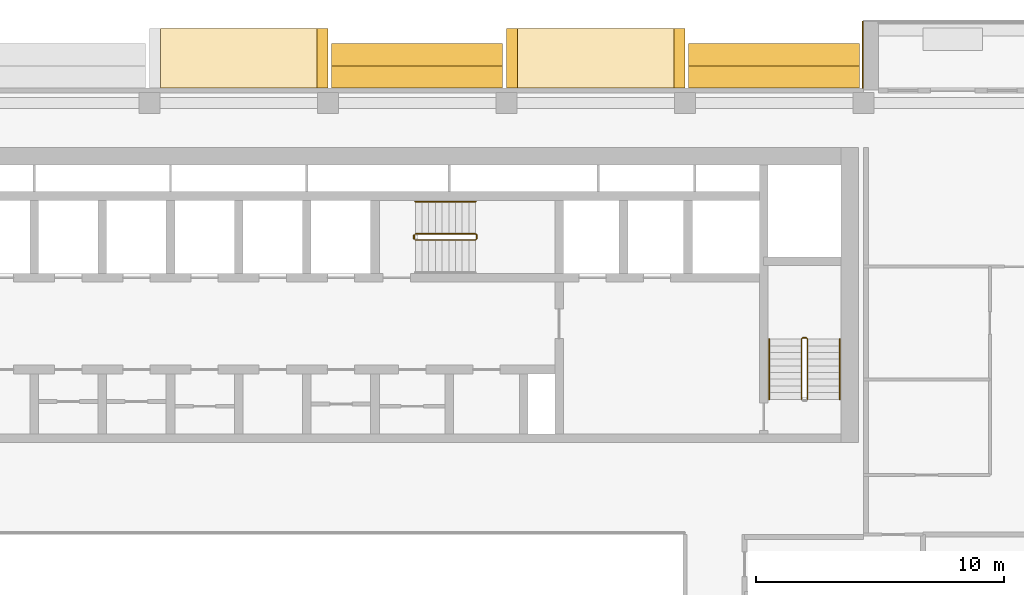
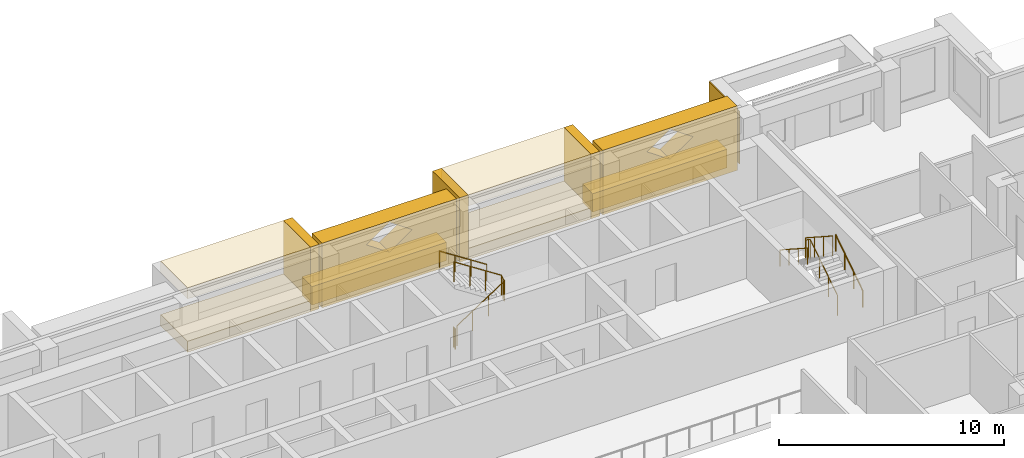
# One storey, part 19 of 20: 12 coverings, 6 railings.
"""IFC4 building model written with IfcOpenShell, lengths in metres."""

from ifc_helpers import new_model, si_unit, direction, frame, origin, origin_2d, place, context, subcontext, project, spatial, polyline, circle, outline, extrude, material, layer, layer_set, type_object, element, save


model = new_model("IFC4")

# Units and contexts
model_context = context("Model", 3, precision=1e-05, world=origin(), true_north=direction((0.0, 1.0)))
body_context = subcontext(model_context, "Body", "Model", "MODEL_VIEW")
ifc_project = project(units=[si_unit("LENGTHUNIT", "METRE"), si_unit("AREAUNIT", "SQUARE_METRE"), si_unit("VOLUMEUNIT", "CUBIC_METRE"), si_unit("PLANEANGLEUNIT", "RADIAN"), si_unit("MASSUNIT", "GRAM", prefix="KILO")], contexts=[model_context])

# Site, building, storey
site_placement = place(None, origin())
site = spatial("IfcSite", under=ifc_project, at=site_placement, CompositionType="ELEMENT")
building_placement = place(site_placement, origin())
building = spatial("IfcBuilding", under=site, at=building_placement, Name="Saffron Iwan Residences", CompositionType="ELEMENT")
storey_placement = place(building_placement, frame((0.0, 0.0, 167.5)))
storey = spatial("IfcBuildingStorey", under=building, at=storey_placement, Name="L44", CompositionType="ELEMENT", Elevation=167.5)

# Coverings
ifc_material_1 = material(Name="Precast concrete C40/50 white painted", Category="concrete")
ifc_layer_1 = layer(ifc_material_1, 0.050048828125)
ifc_layer_set_1 = layer_set([ifc_layer_1], Name="Precast concrete C40/50 white painted")
covering_type_1 = type_object("IfcCoveringType", Name="FRAME SKIN PRECAST WHITE 50", PredefinedType="CLADDING", material=ifc_layer_set_1)
covering_1_placement = place(storey_placement, origin())
element("IfcCovering", 1, at=covering_1_placement, inside=storey, type_object=covering_type_1, Name="Frame skin fin L44 F5-0b", PredefinedType="CLADDING", context=body_context, shape_type="SweptSolid", body=[
    extrude(outline(polyline([(72.0, 83.10009765625), (71.949951171875, 83.10009765625), (71.949951171875, 80.39990234375), (72.0, 80.39990234375), (72.0, 83.10009765625)])), origin(), (0.0, 0.0, 1.0), 2.85009765625),
])
ifc_material_2 = material(Name="Precast concrete C40/50", Category="concrete")
covering_type_2 = type_object("IfcCoveringType", Name="OUTER SKIN LATTICE SCREEN", PredefinedType="CLADDING", material=ifc_material_2)
for number, where, z_axis, x_axis, name in (
    (2, (71.85009765625, 80.39990234375, -0.300048828125), (0.0, 1.0, 0.0), (-1.0, 0.0, 0.0), "OUTER SKIN lattice screen L44 F5.1"),
    (3, (57.449951171875, 80.39990234375, -0.300048828125), (0.0, 1.0, 0.0), (-1.0, 0.0, 0.0), "OUTER SKIN lattice screen L44 F5.2"),
):
    element("IfcCovering", number, at=place(storey_placement, frame(where, z_axis=z_axis, x_axis=x_axis)), inside=storey, type_object=covering_type_2, Name=name, PredefinedType="CLADDING", context=body_context, shape_type="SweptSolid", body=[
        extrude(outline(polyline([(0.0, 0.0), (6.89990234375, 0.0), (6.89990234375, 3.5), (0.0, 3.5), (0.0, 0.0)]), holes=[polyline([(2.27001953125, 2.625), (3.449951171875, 1.81005859375), (4.6298828125, 2.625), (3.449951171875, 3.43994140625), (2.27001953125, 2.625)])]), origin(), (0.0, 0.0, 1.0), 0.900146484375),
    ])

# Railings
ifc_material_3 = material(Name="Steel S355", Category="steel")
railing_type_1 = type_object("IfcRailingType", Name="Stair guard 1100", PredefinedType="GUARDRAIL", material=ifc_material_3)
railing_1_placement = place(storey_placement, frame((53.925048828125, 74.27490234375, 0.175048828125)))
element("IfcRailing", 4, at=railing_1_placement, inside=storey, type_object=railing_type_1, Name="L44 ST-C stair guard 1", PredefinedType="GUARDRAIL", context=body_context, shape_type="SweptSolid", body=[
    extrude(circle(Radius=0.02392578125, at=origin_2d()), frame((0.0, 0.0, 1.076171875), z_axis=(0.839153699163, 0.0, 0.543894354798), x_axis=(0.0, 1.0, 0.0)), (0.0, 0.0, 1.0), 2.895751953125),
    extrude(circle(Radius=0.02392578125, at=origin_2d()), frame((2.429931640625, 0.0, 2.65087890625), z_axis=(0.707106781187, 0.707106781187, 0.0), x_axis=(-0.707106781187, 0.707106781187, 0.0)), (0.0, 0.0, 1.0), 0.07080078125),
    extrude(circle(Radius=0.02392578125, at=origin_2d()), frame((2.47998046875, 0.050048828125, 2.65087890625), z_axis=(0.0, 1.0, 0.0), x_axis=(-1.0, 0.0, 0.0)), (0.0, 0.0, 1.0), 0.150146484375),
    extrude(circle(Radius=0.02392578125, at=origin_2d()), frame((2.47998046875, 0.2001953125, 2.65087890625), z_axis=(-0.265155923931, 0.263862480399, 0.927399011991), x_axis=(-0.705375805398, -0.708833529934, 0.0)), (0.0, 0.0, 1.0), 0.188720703125),
    extrude(circle(Radius=0.02392578125, at=origin_2d()), frame((2.429931640625, 0.25, 2.826171875), z_axis=(-0.839153699163, 0.0, 0.543894354798), x_axis=(0.0, -1.0, 0.0)), (0.0, 0.0, 1.0), 2.895751953125),
    extrude(circle(Radius=0.02099609375, at=origin_2d()), origin(), (0.0, 0.0, 1.0), 1.052001953125),
    extrude(circle(Radius=0.02099609375, at=origin_2d()), frame((0.81005859375, 0.0, 0.52490234375)), (0.0, 0.0, 1.0), 1.052001953125),
    extrude(circle(Radius=0.02099609375, at=origin_2d()), frame((1.619873046875, 0.0, 1.050048828125)), (0.0, 0.0, 1.0), 1.052001953125),
    extrude(circle(Radius=0.02099609375, at=origin_2d()), frame((2.429931640625, 0.0, 1.574951171875)), (0.0, 0.0, 1.0), 1.052001953125),
    extrude(circle(Radius=0.02099609375, at=origin_2d()), frame((2.47998046875, 0.050048828125, 1.574951171875)), (0.0, 0.0, 1.0), 1.052001953125),
    extrude(circle(Radius=0.02099609375, at=origin_2d()), frame((2.47998046875, 0.2001953125, 1.574951171875)), (0.0, 0.0, 1.0), 1.052001953125),
    extrude(circle(Radius=0.02099609375, at=origin_2d()), frame((2.429931640625, 0.25, 1.75)), (0.0, 0.0, 1.0), 1.052001953125),
    extrude(circle(Radius=0.02099609375, at=origin_2d()), frame((1.619873046875, 0.25, 2.27490234375)), (0.0, 0.0, 1.0), 1.052001953125),
    extrude(circle(Radius=0.02099609375, at=origin_2d()), frame((0.81005859375, 0.25, 2.800048828125)), (0.0, 0.0, 1.0), 1.052001953125),
    extrude(circle(Radius=0.02099609375, at=origin_2d()), frame((0.0, 0.25, 3.324951171875)), (0.0, 0.0, 1.0), 1.052001953125),
])
railing_2_placement = place(storey_placement, frame((53.875, 74.324951171875, 0.0)))
element("IfcRailing", 5, at=railing_2_placement, inside=storey, type_object=railing_type_1, Name="L44 ST-C stair guard 2", PredefinedType="GUARDRAIL", context=body_context, shape_type="SweptSolid", body=[
    extrude(circle(Radius=0.02392578125, at=origin_2d()), frame((0.0, 0.0, 1.076171875), z_axis=(0.0, 1.0, 0.0), x_axis=(-1.0, 0.0, 0.0)), (0.0, 0.0, 1.0), 0.150146484375),
    extrude(circle(Radius=0.02099609375, at=origin_2d()), origin(), (0.0, 0.0, 1.0), 1.052001953125),
    extrude(circle(Radius=0.02099609375, at=origin_2d()), frame((0.0, 0.150146484375, 0.0)), (0.0, 0.0, 1.0), 1.052001953125),
])
railing_3_placement = place(storey_placement, frame((69.75, 67.85009765625, 0.175048828125)))
element("IfcRailing", 6, at=railing_3_placement, inside=storey, type_object=railing_type_1, Name="L44 ST-E stair guard 1", PredefinedType="GUARDRAIL", context=body_context, shape_type="SweptSolid", body=[
    extrude(circle(Radius=0.02392578125, at=origin_2d()), frame((0.0, 0.0, 1.076171875), z_axis=(0.0, 0.839153699163, 0.543894354798), x_axis=(-1.0, 0.0, 0.0)), (0.0, 0.0, 1.0), 2.895751953125),
    extrude(circle(Radius=0.02392578125, at=origin_2d()), frame((0.0, 2.429931640625, 2.65087890625), z_axis=(-0.707106781187, 0.707106781187, 0.0), x_axis=(-0.707106781187, -0.707106781187, 0.0)), (0.0, 0.0, 1.0), 0.07080078125),
    extrude(circle(Radius=0.02392578125, at=origin_2d()), frame((-0.050048828125, 2.47998046875, 2.65087890625), z_axis=(-1.0, 0.0, 0.0), x_axis=(0.0, -1.0, 0.0)), (0.0, 0.0, 1.0), 0.14990234375),
    extrude(circle(Radius=0.02392578125, at=origin_2d()), frame((-0.199951171875, 2.47998046875, 2.65087890625), z_axis=(-0.265065253269, -0.265065253269, 0.927081885822), x_axis=(0.707106781187, -0.707106781187, 0.0)), (0.0, 0.0, 1.0), 0.188720703125),
    extrude(circle(Radius=0.02392578125, at=origin_2d()), frame((-0.25, 2.429931640625, 2.826171875), z_axis=(0.0, -0.839153699163, 0.543894354798), x_axis=(1.0, 0.0, 0.0)), (0.0, 0.0, 1.0), 2.895751953125),
    extrude(circle(Radius=0.02099609375, at=origin_2d()), origin(), (0.0, 0.0, 1.0), 1.052001953125),
    extrude(circle(Radius=0.02099609375, at=origin_2d()), frame((0.0, 0.81005859375, 0.52490234375)), (0.0, 0.0, 1.0), 1.052001953125),
    extrude(circle(Radius=0.02099609375, at=origin_2d()), frame((0.0, 1.619873046875, 1.050048828125)), (0.0, 0.0, 1.0), 1.052001953125),
    extrude(circle(Radius=0.02099609375, at=origin_2d()), frame((0.0, 2.429931640625, 1.574951171875)), (0.0, 0.0, 1.0), 1.052001953125),
    extrude(circle(Radius=0.02099609375, at=origin_2d()), frame((-0.050048828125, 2.47998046875, 1.574951171875)), (0.0, 0.0, 1.0), 1.052001953125),
    extrude(circle(Radius=0.02099609375, at=origin_2d()), frame((-0.199951171875, 2.47998046875, 1.574951171875)), (0.0, 0.0, 1.0), 1.052001953125),
    extrude(circle(Radius=0.02099609375, at=origin_2d()), frame((-0.25, 2.429931640625, 1.75)), (0.0, 0.0, 1.0), 1.052001953125),
    extrude(circle(Radius=0.02099609375, at=origin_2d()), frame((-0.25, 1.619873046875, 2.27490234375)), (0.0, 0.0, 1.0), 1.052001953125),
    extrude(circle(Radius=0.02099609375, at=origin_2d()), frame((-0.25, 0.81005859375, 2.800048828125)), (0.0, 0.0, 1.0), 1.052001953125),
    extrude(circle(Radius=0.02099609375, at=origin_2d()), frame((-0.25, 0.0, 3.324951171875)), (0.0, 0.0, 1.0), 1.052001953125),
])
ifc_material_4 = material(Name="Stainless steel 316", Category="steel")
railing_type_2 = type_object("IfcRailingType", Name="Stair handrail 900", PredefinedType="HANDRAIL", material=ifc_material_4)
railing_4_placement = place(storey_placement, frame((56.35498046875, 75.824951171875, 1.925048828125)))
element("IfcRailing", 7, at=railing_4_placement, inside=storey, type_object=railing_type_2, Name="L44 ST-C stair handrail 2", PredefinedType="HANDRAIL", context=body_context, shape_type="SweptSolid", body=[
    extrude(circle(Radius=0.02392578125, at=origin_2d()), frame((0.0, 0.0, 0.8759765625), z_axis=(-0.839153699163, 0.0, 0.543894354798), x_axis=(0.0, -1.0, 0.0)), (0.0, 0.0, 1.0), 2.895751953125),
    extrude(circle(Radius=0.02099609375, at=origin_2d()), origin(), (0.0, 0.0, 1.0), 0.851806640625),
    extrude(circle(Radius=0.02099609375, at=origin_2d()), frame((-0.81005859375, 0.0, 0.52490234375)), (0.0, 0.0, 1.0), 0.851806640625),
    extrude(circle(Radius=0.02099609375, at=origin_2d()), frame((-1.619873046875, 0.0, 1.050048828125)), (0.0, 0.0, 1.0), 0.851806640625),
    extrude(circle(Radius=0.02099609375, at=origin_2d()), frame((-2.429931640625, 0.0, 1.574951171875)), (0.0, 0.0, 1.0), 0.851806640625),
])
railing_5_placement = place(storey_placement, frame((71.050048828125, 67.85009765625, 0.175048828125)))
element("IfcRailing", 8, at=railing_5_placement, inside=storey, type_object=railing_type_2, Name="L44 ST-E stair handrail 1", PredefinedType="HANDRAIL", context=body_context, shape_type="SweptSolid", body=[
    extrude(circle(Radius=0.02392578125, at=origin_2d()), frame((0.0, 0.0, 0.8759765625), z_axis=(0.0, 0.839153699163, 0.543894354798), x_axis=(-1.0, 0.0, 0.0)), (0.0, 0.0, 1.0), 2.895751953125),
    extrude(circle(Radius=0.02099609375, at=origin_2d()), origin(), (0.0, 0.0, 1.0), 0.851806640625),
    extrude(circle(Radius=0.02099609375, at=origin_2d()), frame((0.0, 0.81005859375, 0.52490234375)), (0.0, 0.0, 1.0), 0.851806640625),
    extrude(circle(Radius=0.02099609375, at=origin_2d()), frame((0.0, 1.619873046875, 1.050048828125)), (0.0, 0.0, 1.0), 0.851806640625),
    extrude(circle(Radius=0.02099609375, at=origin_2d()), frame((0.0, 2.429931640625, 1.574951171875)), (0.0, 0.0, 1.0), 0.851806640625),
])
railing_6_placement = place(storey_placement, frame((68.199951171875, 70.280029296875, 1.925048828125)))
element("IfcRailing", 9, at=railing_6_placement, inside=storey, type_object=railing_type_2, Name="L44 ST-E stair handrail 2", PredefinedType="HANDRAIL", context=body_context, shape_type="SweptSolid", body=[
    extrude(circle(Radius=0.02392578125, at=origin_2d()), frame((0.0, 0.0, 0.8759765625), z_axis=(0.0, -0.839153699163, 0.543894354798), x_axis=(1.0, 0.0, 0.0)), (0.0, 0.0, 1.0), 2.895751953125),
    extrude(circle(Radius=0.02099609375, at=origin_2d()), origin(), (0.0, 0.0, 1.0), 0.851806640625),
    extrude(circle(Radius=0.02099609375, at=origin_2d()), frame((0.0, -0.81005859375, 0.52490234375)), (0.0, 0.0, 1.0), 0.851806640625),
    extrude(circle(Radius=0.02099609375, at=origin_2d()), frame((0.0, -1.619873046875, 1.050048828125)), (0.0, 0.0, 1.0), 0.851806640625),
    extrude(circle(Radius=0.02099609375, at=origin_2d()), frame((0.0, -2.429931640625, 1.574951171875)), (0.0, 0.0, 1.0), 0.851806640625),
])

# Coverings
ifc_layer_2 = layer(ifc_material_1, 0.89990234375)
ifc_layer_set_2 = layer_set([ifc_layer_2], Name="Precast concrete C40/50 white painted")
covering_type_3 = type_object("IfcCoveringType", Name="WHITE EDGE BAND 900 x 1000", PredefinedType="CLADDING", material=ifc_layer_set_2)
covering_2_placement = place(storey_placement, frame((0.0, 0.0, -0.699951171875)))
element("IfcCovering", 10, at=covering_2_placement, inside=storey, type_object=covering_type_3, Name="White edge band L44 F5.1", PredefinedType="CLADDING", context=body_context, shape_type="SweptSolid", body=[
    extrude(outline(polyline([(71.85009765625, 82.199951171875), (64.949951171875, 82.199951171875), (64.949951171875, 81.300048828125), (71.85009765625, 81.300048828125), (71.85009765625, 82.199951171875)])), origin(), (0.0, 0.0, 1.0), 1.0),
])
covering_3_placement = place(storey_placement, frame((0.0, 0.0, -0.699951171875)))
element("IfcCovering", 11, at=covering_3_placement, inside=storey, type_object=covering_type_3, Name="White edge band L44 F5.2", PredefinedType="CLADDING", context=body_context, shape_type="SweptSolid", body=[
    extrude(outline(polyline([(57.449951171875, 82.199951171875), (50.550048828125, 82.199951171875), (50.550048828125, 81.300048828125), (57.449951171875, 81.300048828125), (57.449951171875, 82.199951171875)])), origin(), (0.0, 0.0, 1.0), 1.0),
])
covering_type_4 = type_object("IfcCoveringType", Name="WHITE SUN FRAME PRECAST", PredefinedType="CLADDING", material=ifc_material_1)
for number, where, z_axis, x_axis, name in (
    (12, (64.800048828125, 80.39990234375, -0.300048828125), (0.0, 1.0, 0.0), (-1.0, 0.0, 0.0), "Sun frame L44 F5 18.0a"),
    (13, (58.050048828125, 80.39990234375, -0.300048828125), (0.0, 1.0, 0.0), (-1.0, 0.0, 0.0), "Sun frame L44 F5 18.0b"),
):
    element("IfcCovering", number, at=place(storey_placement, frame(where, z_axis=z_axis, x_axis=x_axis)), inside=storey, type_object=covering_type_4, Name=name, PredefinedType="CLADDING", context=body_context, shape_type="SweptSolid", body=[
        extrude(outline(polyline([(0.0, 0.0), (0.449951171875, 0.0), (0.449951171875, 3.5), (0.0, 3.5), (0.0, 0.0)])), origin(), (0.0, 0.0, 1.0), 2.400146484375),
    ])
for number, where, z_axis, x_axis, name in (
    (14, (64.35009765625, 80.39990234375, 2.60009765625), (0.0, 1.0, 0.0), (-1.0, 0.0, 0.0), "Sun frame L44 F5 18.0h"),
    (15, (64.35009765625, 80.39990234375, -0.300048828125), (0.0, 1.0, 0.0), (-1.0, 0.0, 0.0), "Sun frame L44 F5 18.0s"),
):
    element("IfcCovering", number, at=place(storey_placement, frame(where, z_axis=z_axis, x_axis=x_axis)), inside=storey, type_object=covering_type_4, Name=name, PredefinedType="CLADDING", context=body_context, shape_type="SweptSolid", body=[
        extrude(outline(polyline([(0.0, 0.0), (6.300048828125, 0.0), (6.300048828125, 0.60009765625), (0.0, 0.60009765625), (0.0, 0.0)])), origin(), (0.0, 0.0, 1.0), 2.400146484375),
    ])
covering_4_placement = place(storey_placement, frame((50.39990234375, 80.39990234375, -0.300048828125), z_axis=(0.0, 1.0, 0.0), x_axis=(-1.0, 0.0, 0.0)))
element("IfcCovering", 16, at=covering_4_placement, inside=storey, type_object=covering_type_4, Name="Sun frame L44 F5 32.4a", PredefinedType="CLADDING", context=body_context, shape_type="SweptSolid", body=[
    extrude(outline(polyline([(0.0, 0.0), (0.449951171875, 0.0), (0.449951171875, 3.5), (0.0, 3.5), (0.0, 0.0)])), origin(), (0.0, 0.0, 1.0), 2.400146484375),
])
for number, where, z_axis, x_axis, name in (
    (17, (49.949951171875, 80.39990234375, 2.60009765625), (0.0, 1.0, 0.0), (-1.0, 0.0, 0.0), "Sun frame L44 F5 32.4h"),
    (18, (49.949951171875, 80.39990234375, -0.300048828125), (0.0, 1.0, 0.0), (-1.0, 0.0, 0.0), "Sun frame L44 F5 32.4s"),
):
    element("IfcCovering", number, at=place(storey_placement, frame(where, z_axis=z_axis, x_axis=x_axis)), inside=storey, type_object=covering_type_4, Name=name, PredefinedType="CLADDING", context=body_context, shape_type="SweptSolid", body=[
        extrude(outline(polyline([(0.0, 0.0), (6.300048828125, 0.0), (6.300048828125, 0.60009765625), (0.0, 0.60009765625), (0.0, 0.0)])), origin(), (0.0, 0.0, 1.0), 2.400146484375),
    ])

save(model, "model.ifc")
